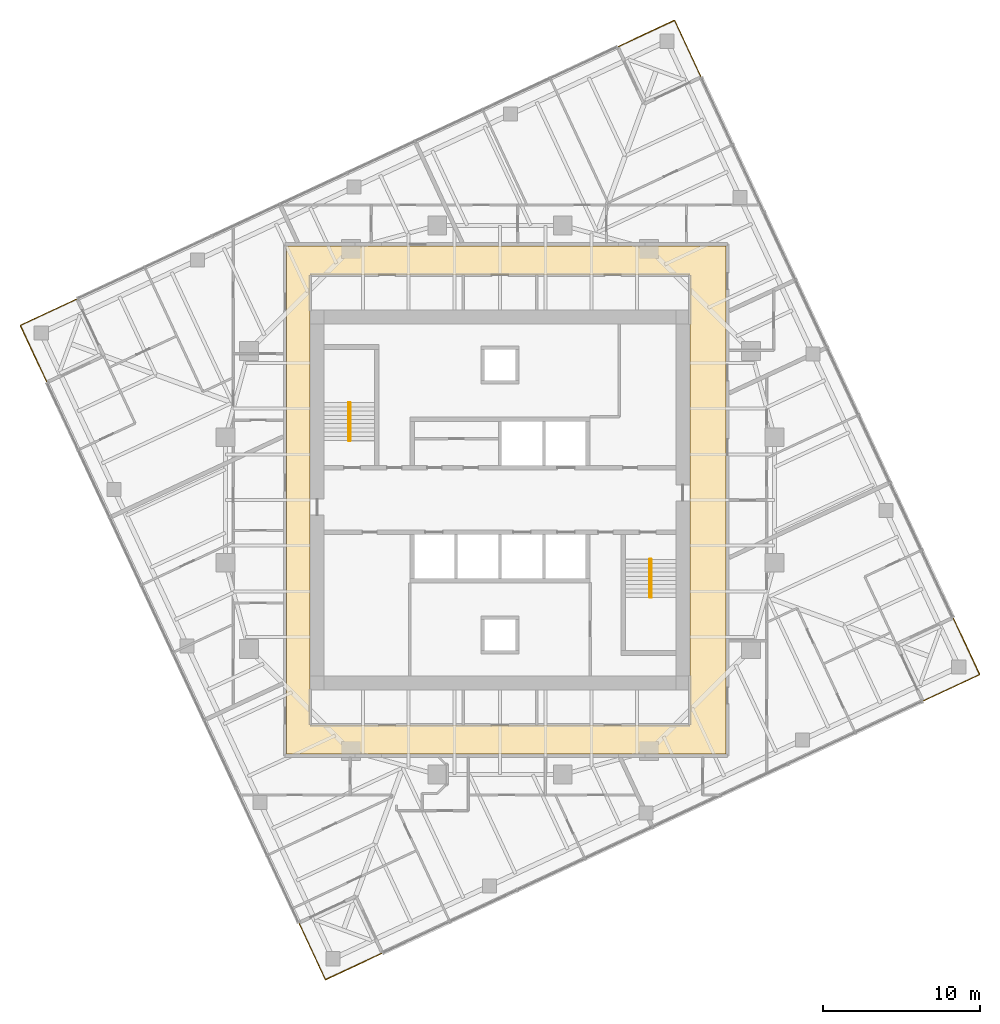
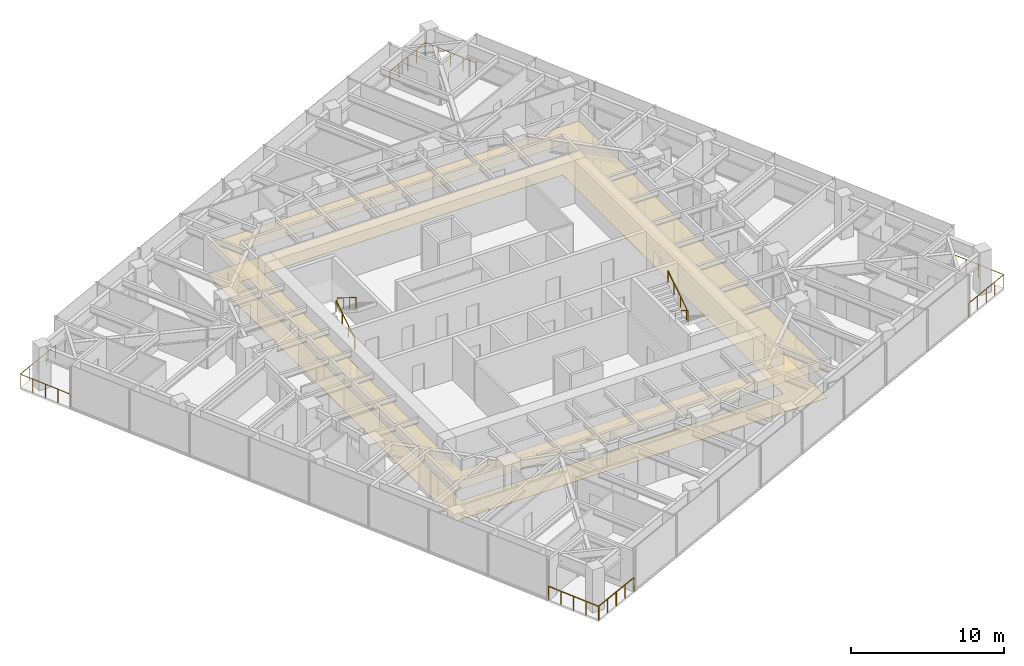
# One storey, part 13 of 13: 8 railings, 2 coverings, 2 elements without a shape of their own.
"""IFC4 building model written with IfcOpenShell, lengths in metres."""

from ifc_helpers import new_model, si_unit, direction, frame, origin, origin_2d, place, context, subcontext, project, spatial, polyline, circle, outline, extrude, material, layer, layer_set, type_object, element, aggregate, save


model = new_model("IFC4")

# Units and contexts
model_context = context("Model", 3, precision=1e-05, world=origin(), true_north=direction((0.0, 1.0)))
body_context = subcontext(model_context, "Body", "Model", "MODEL_VIEW")
ifc_project = project(units=[si_unit("LENGTHUNIT", "METRE"), si_unit("AREAUNIT", "SQUARE_METRE"), si_unit("VOLUMEUNIT", "CUBIC_METRE"), si_unit("PLANEANGLEUNIT", "RADIAN"), si_unit("MASSUNIT", "GRAM", prefix="KILO")], contexts=[model_context])

# Site, building, storey
site_placement = place(None, origin())
site = spatial("IfcSite", under=ifc_project, at=site_placement, CompositionType="ELEMENT")
building_placement = place(site_placement, origin())
building = spatial("IfcBuilding", under=site, at=building_placement, Name="Torsade Residences", CompositionType="ELEMENT")
storey_placement = place(building_placement, frame((0.0, 0.0, 176.0)))
storey = spatial("IfcBuildingStorey", under=building, at=storey_placement, Name="L48", CompositionType="ELEMENT", Elevation=176.0)

# Coverings
ifc_material_1 = material(Name="Nylon carpet tile on underlay", Category="textile")
ifc_layer_1 = layer(ifc_material_1, 0.010009765625)
ifc_layer_set_1 = layer_set([ifc_layer_1], Name="Nylon carpet tile on underlay")
covering_type_1 = type_object("IfcCoveringType", Name="CORRIDOR CARPET TILE 10", PredefinedType="FLOORING", material=ifc_layer_set_1)
covering_1_placement = place(storey_placement, origin())
element("IfcCovering", 1, at=covering_1_placement, inside=storey, type_object=covering_type_1, Name="Corridor carpet L48", PredefinedType="FLOORING", context=body_context, shape_type="SweptSolid", body=[
    extrude(outline(polyline([(26.39990234375, 46.199951171875), (26.39990234375, 13.800048828125), (54.39990234375, 13.800048828125), (54.39990234375, 46.199951171875), (26.39990234375, 46.199951171875)]), holes=[polyline([(52.10009765625, 44.35009765625), (27.89990234375, 44.35009765625), (27.89990234375, 15.64990234375), (52.10009765625, 15.64990234375), (52.10009765625, 44.35009765625)])]), origin(), (0.0, 0.0, 1.0), 0.010009765625),
])
ifc_material_2 = material(Name="Plasterboard on suspended steel grid", Category="steel")
ifc_layer_2 = layer(ifc_material_2, 0.012939453125)
ifc_layer_set_2 = layer_set([ifc_layer_2], Name="Plasterboard on suspended steel grid")
covering_type_2 = type_object("IfcCoveringType", Name="CORRIDOR SUSPENDED CEILING 13", PredefinedType="CEILING", material=ifc_layer_set_2)
covering_2_placement = place(storey_placement, frame((0.0, 0.0, 2.39990234375)))
element("IfcCovering", 2, at=covering_2_placement, inside=storey, type_object=covering_type_2, Name="Corridor ceiling L48", PredefinedType="CEILING", context=body_context, shape_type="SweptSolid", body=[
    extrude(outline(polyline([(26.39990234375, 46.199951171875), (26.39990234375, 13.800048828125), (54.39990234375, 13.800048828125), (54.39990234375, 46.199951171875), (26.39990234375, 46.199951171875)]), holes=[polyline([(52.10009765625, 44.35009765625), (27.89990234375, 44.35009765625), (27.89990234375, 15.64990234375), (52.10009765625, 15.64990234375), (52.10009765625, 44.35009765625)])]), origin(), (0.0, 0.0, 1.0), 0.01318359375),
])

# Stair, railings
ifc_material_3 = material(Name="Precast concrete 40 MPa", Category="concrete")
stair_type = type_object("IfcStairType", Name="HALF-TURN FIRE STAIR 1500x3400", PredefinedType="HALF_TURN_STAIR", material=ifc_material_3)
stair_1_placement = place(storey_placement, origin())
stair_1 = element("IfcStair", 3, at=stair_1_placement, inside=storey, type_object=stair_type, Name="Stair ST1 L48", PredefinedType="HALF_TURN_STAIR")
ifc_material_4 = material(Name="Steel handrail", Category="steel")
railing_type_1 = type_object("IfcRailingType", Name="STAIR HANDRAIL 900", PredefinedType="HANDRAIL", material=ifc_material_4)
railing_1_placement = place(storey_placement, frame((30.35009765625, 33.780029296875, 0.169921875)))
railing_1 = element("IfcRailing", 4, at=railing_1_placement, type_object=railing_type_1, Name="Handrail ST1 flight 1 L48", PredefinedType="HANDRAIL", context=body_context, shape_type="SweptSolid", body=[
    extrude(circle(Radius=0.02392578125, at=origin_2d()), frame((0.0, 0.0, 0.8759765625), z_axis=(0.0, 0.846221481393, 0.532831309544), x_axis=(-1.0, 0.0, 0.0)), (0.0, 0.0, 1.0), 2.87158203125),
    extrude(circle(Radius=0.02099609375, at=origin_2d()), origin(), (0.0, 0.0, 1.0), 0.851806640625),
    extrude(circle(Radius=0.02099609375, at=origin_2d()), frame((0.0, 0.81005859375, 0.510009765625)), (0.0, 0.0, 1.0), 0.851806640625),
    extrude(circle(Radius=0.02099609375, at=origin_2d()), frame((0.0, 1.619873046875, 1.02001953125)), (0.0, 0.0, 1.0), 0.851806640625),
    extrude(circle(Radius=0.02099609375, at=origin_2d()), frame((0.0, 2.429931640625, 1.530029296875)), (0.0, 0.0, 1.0), 0.851806640625),
])
railing_2_placement = place(storey_placement, frame((30.449951171875, 36.2099609375, 1.8701171875)))
railing_2 = element("IfcRailing", 5, at=railing_2_placement, type_object=railing_type_1, Name="Handrail ST1 flight 2 L48", PredefinedType="HANDRAIL", context=body_context, shape_type="SweptSolid", body=[
    extrude(circle(Radius=0.02392578125, at=origin_2d()), frame((0.0, 0.0, 0.8759765625), z_axis=(0.0, -0.846259816676, 0.532770422113), x_axis=(1.0, 0.0, 0.0)), (0.0, 0.0, 1.0), 2.871337890625),
    extrude(circle(Radius=0.02099609375, at=origin_2d()), origin(), (0.0, 0.0, 1.0), 0.851806640625),
    extrude(circle(Radius=0.02099609375, at=origin_2d()), frame((0.0, -0.81005859375, 0.510009765625)), (0.0, 0.0, 1.0), 0.851806640625),
    extrude(circle(Radius=0.02099609375, at=origin_2d()), frame((0.0, -1.619873046875, 1.019775390625)), (0.0, 0.0, 1.0), 0.851806640625),
    extrude(circle(Radius=0.02099609375, at=origin_2d()), frame((0.0, -2.429931640625, 1.52978515625)), (0.0, 0.0, 1.0), 0.851806640625),
])
aggregate(stair_1, [railing_1, railing_2])

stair_2_placement = place(storey_placement, origin())
stair_2 = element("IfcStair", 6, at=stair_2_placement, inside=storey, type_object=stair_type, Name="Stair ST2 L48", PredefinedType="HALF_TURN_STAIR")
railing_3_placement = place(storey_placement, frame((49.64990234375, 26.219970703125, 0.169921875)))
railing_3 = element("IfcRailing", 7, at=railing_3_placement, type_object=railing_type_1, Name="Handrail ST2 flight 1 L48", PredefinedType="HANDRAIL", context=body_context, shape_type="SweptSolid", body=[
    extrude(circle(Radius=0.02392578125, at=origin_2d()), frame((0.0, 0.0, 0.8759765625), z_axis=(0.0, -0.846221481393, 0.532831309544), x_axis=(1.0, 0.0, 0.0)), (0.0, 0.0, 1.0), 2.87158203125),
    extrude(circle(Radius=0.02099609375, at=origin_2d()), origin(), (0.0, 0.0, 1.0), 0.851806640625),
    extrude(circle(Radius=0.02099609375, at=origin_2d()), frame((0.0, -0.81005859375, 0.510009765625)), (0.0, 0.0, 1.0), 0.851806640625),
    extrude(circle(Radius=0.02099609375, at=origin_2d()), frame((0.0, -1.619873046875, 1.02001953125)), (0.0, 0.0, 1.0), 0.851806640625),
    extrude(circle(Radius=0.02099609375, at=origin_2d()), frame((0.0, -2.429931640625, 1.530029296875)), (0.0, 0.0, 1.0), 0.851806640625),
])
railing_4_placement = place(storey_placement, frame((49.550048828125, 23.7900390625, 1.8701171875)))
railing_4 = element("IfcRailing", 8, at=railing_4_placement, type_object=railing_type_1, Name="Handrail ST2 flight 2 L48", PredefinedType="HANDRAIL", context=body_context, shape_type="SweptSolid", body=[
    extrude(circle(Radius=0.02392578125, at=origin_2d()), frame((0.0, 0.0, 0.8759765625), z_axis=(0.0, 0.846259816676, 0.532770422113), x_axis=(-1.0, 0.0, 0.0)), (0.0, 0.0, 1.0), 2.871337890625),
    extrude(circle(Radius=0.02099609375, at=origin_2d()), origin(), (0.0, 0.0, 1.0), 0.851806640625),
    extrude(circle(Radius=0.02099609375, at=origin_2d()), frame((0.0, 0.81005859375, 0.510009765625)), (0.0, 0.0, 1.0), 0.851806640625),
    extrude(circle(Radius=0.02099609375, at=origin_2d()), frame((0.0, 1.619873046875, 1.019775390625)), (0.0, 0.0, 1.0), 0.851806640625),
    extrude(circle(Radius=0.02099609375, at=origin_2d()), frame((0.0, 2.429931640625, 1.52978515625)), (0.0, 0.0, 1.0), 0.851806640625),
])
aggregate(stair_2, [railing_3, railing_4])

# Railings
ifc_material_5 = material(Name="Laminated glass balustrade", Category="glass")
railing_type_2 = type_object("IfcRailingType", Name="TERRACE GLASS BALUSTRADE 1100", PredefinedType="BALUSTRADE", material=ifc_material_5)
railing_5_placement = place(storey_placement, frame((66.940185546875, 17.1845703125, 0.0)))
element("IfcRailing", 9, at=railing_5_placement, inside=storey, type_object=railing_type_2, Name="Terrace balustrade SE L48", PredefinedType="BALUSTRADE", context=body_context, shape_type="SweptSolid", body=[
    extrude(circle(Radius=0.02392578125, at=origin_2d()), frame((0.0, 0.0, 1.076171875), z_axis=(0.906278236866, 0.422681626502, 0.0), x_axis=(-0.422681626502, 0.906278236866, 0.0)), (0.0, 0.0, 1.0), 3.999755859375),
    extrude(circle(Radius=0.02392578125, at=origin_2d()), frame((3.625, 1.690673828125, 1.076171875), z_axis=(-0.422608113797, 0.906312519031, 0.0), x_axis=(-0.906312519031, -0.422608113797, 0.0)), (0.0, 0.0, 1.0), 4.0),
    extrude(circle(Radius=0.02099609375, at=origin_2d()), origin(), (0.0, 0.0, 1.0), 1.052001953125),
    extrude(circle(Radius=0.02099609375, at=origin_2d()), frame((0.90625, 0.422607421875, 0.0)), (0.0, 0.0, 1.0), 1.052001953125),
    extrude(circle(Radius=0.02099609375, at=origin_2d()), frame((1.8125, 0.84521484375, 0.0)), (0.0, 0.0, 1.0), 1.052001953125),
    extrude(circle(Radius=0.02099609375, at=origin_2d()), frame((2.71875, 1.26806640625, 0.0)), (0.0, 0.0, 1.0), 1.052001953125),
    extrude(circle(Radius=0.02099609375, at=origin_2d()), frame((3.625, 1.690673828125, 0.0)), (0.0, 0.0, 1.0), 1.052001953125),
    extrude(circle(Radius=0.02099609375, at=origin_2d()), frame((3.202392578125, 2.596923828125, 0.0)), (0.0, 0.0, 1.0), 1.052001953125),
    extrude(circle(Radius=0.02099609375, at=origin_2d()), frame((2.77978515625, 3.50341796875, 0.0)), (0.0, 0.0, 1.0), 1.052001953125),
    extrude(circle(Radius=0.02099609375, at=origin_2d()), frame((2.357177734375, 4.40966796875, 0.0)), (0.0, 0.0, 1.0), 1.052001953125),
    extrude(circle(Radius=0.02099609375, at=origin_2d()), frame((1.9345703125, 5.31591796875, 0.0)), (0.0, 0.0, 1.0), 1.052001953125),
])
railing_6_placement = place(storey_placement, frame((52.8154296875, 56.940185546875, 0.0)))
element("IfcRailing", 10, at=railing_6_placement, inside=storey, type_object=railing_type_2, Name="Terrace balustrade NE L48", PredefinedType="BALUSTRADE", context=body_context, shape_type="SweptSolid", body=[
    extrude(circle(Radius=0.02392578125, at=origin_2d()), frame((0.0, 0.0, 1.076171875), z_axis=(-0.422681626502, 0.906278236866, 0.0), x_axis=(-0.906278236866, -0.422681626502, 0.0)), (0.0, 0.0, 1.0), 3.999755859375),
    extrude(circle(Radius=0.02392578125, at=origin_2d()), frame((-1.690673828125, 3.625, 1.076171875), z_axis=(-0.906312519031, -0.422608113797, 0.0), x_axis=(0.422608113797, -0.906312519031, 0.0)), (0.0, 0.0, 1.0), 4.0),
    extrude(circle(Radius=0.02099609375, at=origin_2d()), origin(), (0.0, 0.0, 1.0), 1.052001953125),
    extrude(circle(Radius=0.02099609375, at=origin_2d()), frame((-0.422607421875, 0.90625, 0.0)), (0.0, 0.0, 1.0), 1.052001953125),
    extrude(circle(Radius=0.02099609375, at=origin_2d()), frame((-0.84521484375, 1.8125, 0.0)), (0.0, 0.0, 1.0), 1.052001953125),
    extrude(circle(Radius=0.02099609375, at=origin_2d()), frame((-1.26806640625, 2.71875, 0.0)), (0.0, 0.0, 1.0), 1.052001953125),
    extrude(circle(Radius=0.02099609375, at=origin_2d()), frame((-1.690673828125, 3.625, 0.0)), (0.0, 0.0, 1.0), 1.052001953125),
    extrude(circle(Radius=0.02099609375, at=origin_2d()), frame((-2.596923828125, 3.202392578125, 0.0)), (0.0, 0.0, 1.0), 1.052001953125),
    extrude(circle(Radius=0.02099609375, at=origin_2d()), frame((-3.50341796875, 2.77978515625, 0.0)), (0.0, 0.0, 1.0), 1.052001953125),
    extrude(circle(Radius=0.02099609375, at=origin_2d()), frame((-4.40966796875, 2.357177734375, 0.0)), (0.0, 0.0, 1.0), 1.052001953125),
    extrude(circle(Radius=0.02099609375, at=origin_2d()), frame((-5.31591796875, 1.9345703125, 0.0)), (0.0, 0.0, 1.0), 1.052001953125),
])
railing_7_placement = place(storey_placement, frame((13.059814453125, 42.8154296875, 0.0)))
element("IfcRailing", 11, at=railing_7_placement, inside=storey, type_object=railing_type_2, Name="Terrace balustrade NW L48", PredefinedType="BALUSTRADE", context=body_context, shape_type="SweptSolid", body=[
    extrude(circle(Radius=0.02392578125, at=origin_2d()), frame((0.0, 0.0, 1.076171875), z_axis=(-0.906278236866, -0.422681626502, 0.0), x_axis=(0.422681626502, -0.906278236866, 0.0)), (0.0, 0.0, 1.0), 3.999755859375),
    extrude(circle(Radius=0.02392578125, at=origin_2d()), frame((-3.625, -1.690673828125, 1.076171875), z_axis=(0.422608113797, -0.906312519031, 0.0), x_axis=(0.906312519031, 0.422608113797, 0.0)), (0.0, 0.0, 1.0), 4.0),
    extrude(circle(Radius=0.02099609375, at=origin_2d()), origin(), (0.0, 0.0, 1.0), 1.052001953125),
    extrude(circle(Radius=0.02099609375, at=origin_2d()), frame((-0.90625, -0.422607421875, 0.0)), (0.0, 0.0, 1.0), 1.052001953125),
    extrude(circle(Radius=0.02099609375, at=origin_2d()), frame((-1.8125, -0.84521484375, 0.0)), (0.0, 0.0, 1.0), 1.052001953125),
    extrude(circle(Radius=0.02099609375, at=origin_2d()), frame((-2.71875, -1.26806640625, 0.0)), (0.0, 0.0, 1.0), 1.052001953125),
    extrude(circle(Radius=0.02099609375, at=origin_2d()), frame((-3.625, -1.690673828125, 0.0)), (0.0, 0.0, 1.0), 1.052001953125),
    extrude(circle(Radius=0.02099609375, at=origin_2d()), frame((-3.202392578125, -2.596923828125, 0.0)), (0.0, 0.0, 1.0), 1.052001953125),
    extrude(circle(Radius=0.02099609375, at=origin_2d()), frame((-2.77978515625, -3.50341796875, 0.0)), (0.0, 0.0, 1.0), 1.052001953125),
    extrude(circle(Radius=0.02099609375, at=origin_2d()), frame((-2.357177734375, -4.40966796875, 0.0)), (0.0, 0.0, 1.0), 1.052001953125),
    extrude(circle(Radius=0.02099609375, at=origin_2d()), frame((-1.9345703125, -5.31591796875, 0.0)), (0.0, 0.0, 1.0), 1.052001953125),
])
railing_8_placement = place(storey_placement, frame((27.1845703125, 3.059814453125, 0.0)))
element("IfcRailing", 12, at=railing_8_placement, inside=storey, type_object=railing_type_2, Name="Terrace balustrade SW L48", PredefinedType="BALUSTRADE", context=body_context, shape_type="SweptSolid", body=[
    extrude(circle(Radius=0.02392578125, at=origin_2d()), frame((0.0, 0.0, 1.076171875), z_axis=(0.422681626502, -0.906278236866, 0.0), x_axis=(0.906278236866, 0.422681626502, 0.0)), (0.0, 0.0, 1.0), 3.999755859375),
    extrude(circle(Radius=0.02392578125, at=origin_2d()), frame((1.690673828125, -3.625, 1.076171875), z_axis=(0.906312519031, 0.422608113797, 0.0), x_axis=(-0.422608113797, 0.906312519031, 0.0)), (0.0, 0.0, 1.0), 4.0),
    extrude(circle(Radius=0.02099609375, at=origin_2d()), origin(), (0.0, 0.0, 1.0), 1.052001953125),
    extrude(circle(Radius=0.02099609375, at=origin_2d()), frame((0.422607421875, -0.90625, 0.0)), (0.0, 0.0, 1.0), 1.052001953125),
    extrude(circle(Radius=0.02099609375, at=origin_2d()), frame((0.84521484375, -1.8125, 0.0)), (0.0, 0.0, 1.0), 1.052001953125),
    extrude(circle(Radius=0.02099609375, at=origin_2d()), frame((1.26806640625, -2.71875, 0.0)), (0.0, 0.0, 1.0), 1.052001953125),
    extrude(circle(Radius=0.02099609375, at=origin_2d()), frame((1.690673828125, -3.625, 0.0)), (0.0, 0.0, 1.0), 1.052001953125),
    extrude(circle(Radius=0.02099609375, at=origin_2d()), frame((2.596923828125, -3.202392578125, 0.0)), (0.0, 0.0, 1.0), 1.052001953125),
    extrude(circle(Radius=0.02099609375, at=origin_2d()), frame((3.50341796875, -2.77978515625, 0.0)), (0.0, 0.0, 1.0), 1.052001953125),
    extrude(circle(Radius=0.02099609375, at=origin_2d()), frame((4.40966796875, -2.357177734375, 0.0)), (0.0, 0.0, 1.0), 1.052001953125),
    extrude(circle(Radius=0.02099609375, at=origin_2d()), frame((5.31591796875, -1.9345703125, 0.0)), (0.0, 0.0, 1.0), 1.052001953125),
])

save(model, "model.ifc")
